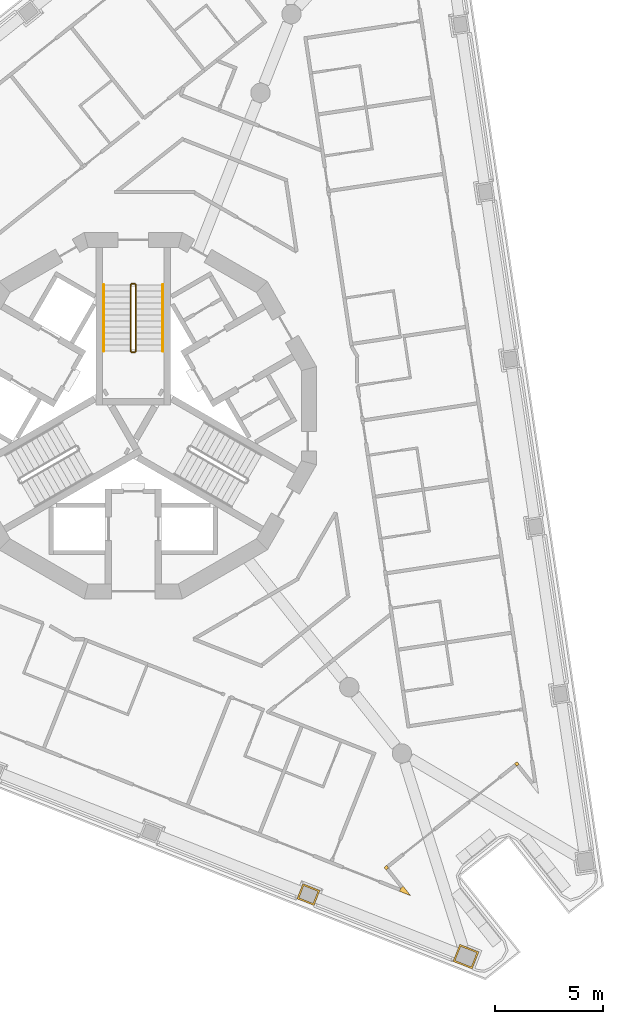
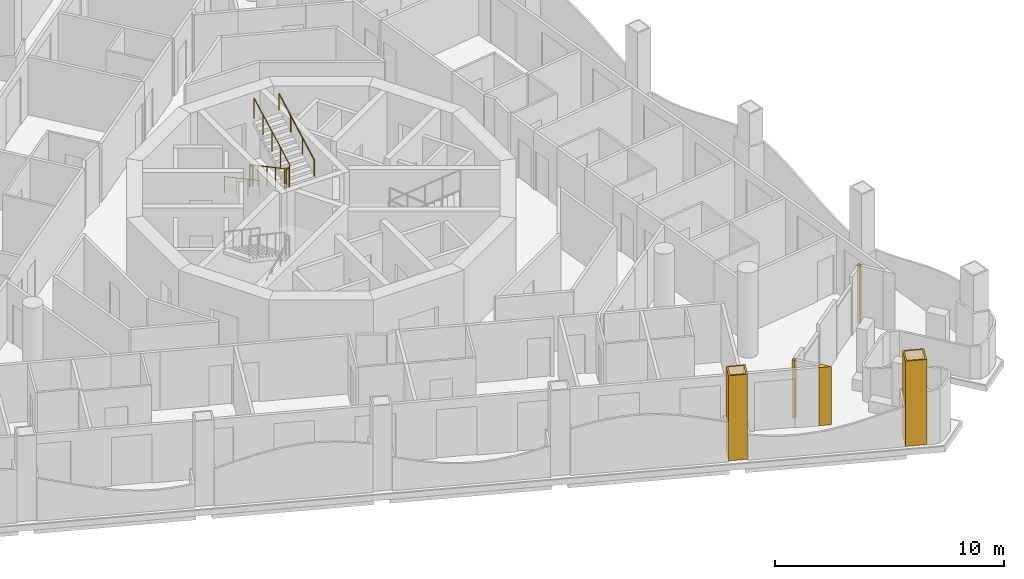
# One storey, part 13 of 16: 6 railings, 5 coverings.
"""IFC4 building model written with IfcOpenShell, lengths in metres."""

from ifc_helpers import new_model, si_unit, direction, frame, origin, origin_2d, place, context, subcontext, project, spatial, polyline, circle, outline, extrude, material, layer, layer_set, type_object, element, save


model = new_model("IFC4")

# Units and contexts
model_context = context("Model", 3, precision=1e-05, world=origin(), true_north=direction((0.0, 1.0)))
body_context = subcontext(model_context, "Body", "Model", "MODEL_VIEW")
ifc_project = project(units=[si_unit("LENGTHUNIT", "METRE"), si_unit("AREAUNIT", "SQUARE_METRE"), si_unit("VOLUMEUNIT", "CUBIC_METRE"), si_unit("PLANEANGLEUNIT", "RADIAN"), si_unit("MASSUNIT", "GRAM", prefix="KILO")], contexts=[model_context])

# Site, building, storey
site_placement = place(None, origin())
site = spatial("IfcSite", under=ifc_project, at=site_placement, CompositionType="ELEMENT")
building_placement = place(site_placement, origin())
building = spatial("IfcBuilding", under=site, at=building_placement, Name="Trine Commons Tower", CompositionType="ELEMENT")
storey_placement = place(building_placement, frame((0.0, 0.0, 226.800048828125)))
storey = spatial("IfcBuildingStorey", under=building, at=storey_placement, Name="L59", CompositionType="ELEMENT", Elevation=226.800048828125)

# Coverings
ifc_material_1 = material(Name="Aluminium-framed insulated wall panel", Category="aluminium")
ifc_layer_1 = layer(ifc_material_1, 0.14990234375)
ifc_layer_set_1 = layer_set([ifc_layer_1], Name="Aluminium-framed insulated wall panel")
covering_type_1 = type_object("IfcCoveringType", Name="Glazing corner post, aluminium", PredefinedType="CLADDING", material=ifc_layer_set_1)
covering_1_placement = place(storey_placement, origin())
element("IfcCovering", 1, at=covering_1_placement, inside=storey, type_object=covering_type_1, Name="Glazing corner post 6-07", PredefinedType="CLADDING", context=body_context, shape_type="SweptSolid", body=[
    extrude(outline(polyline([(97.682861328125, 46.35791015625), (97.7763671875, 46.240478515625), (97.7763671875, 46.240478515625), (97.893798828125, 46.333740234375), (97.80029296875, 46.451171875), (97.80029296875, 46.451171875), (97.682861328125, 46.35791015625)])), origin(), (0.0, 0.0, 1.0), 3.099853515625),
])
covering_2_placement = place(storey_placement, origin())
element("IfcCovering", 2, at=covering_2_placement, inside=storey, type_object=covering_type_1, Name="Glazing corner post 6-08", PredefinedType="CLADDING", context=body_context, shape_type="SweptSolid", body=[
    extrude(outline(polyline([(91.726806640625, 41.42822265625), (91.843994140625, 41.521728515625), (91.750732421875, 41.63916015625), (91.63330078125, 41.545654296875), (91.726806640625, 41.42822265625)])), origin(), (0.0, 0.0, 1.0), 3.099853515625),
])
covering_3_placement = place(storey_placement, origin())
element("IfcCovering", 3, at=covering_3_placement, inside=storey, type_object=covering_type_1, Name="Glazing corner post 6-09", PredefinedType="CLADDING", context=body_context, shape_type="SweptSolid", body=[
    extrude(outline(polyline([(92.34765625, 40.439208984375), (92.868408203125, 40.23388671875), (92.52001953125, 40.672119140625), (92.402587890625, 40.57861328125), (92.34765625, 40.439208984375)])), origin(), (0.0, 0.0, 1.0), 3.099853515625),
])
ifc_material_2 = material(Name="Limestone, honed", Category="masonry")
ifc_layer_2 = layer(ifc_material_2, 0.074951171875)
ifc_layer_set_2 = layer_set([ifc_layer_2], Name="Limestone, honed")
covering_type_2 = type_object("IfcCoveringType", Name="Limestone column cladding 75", PredefinedType="CLADDING", material=ifc_layer_set_2)
covering_4_placement = place(storey_placement, origin())
element("IfcCovering", 4, at=covering_4_placement, inside=storey, type_object=covering_type_2, Name="Limestone pier cladding 6-01", PredefinedType="CLADDING", context=body_context, shape_type="SweptSolid", body=[
    extrude(outline(polyline([(95.143310546875, 37.978271484375), (94.831787109375, 37.1875), (95.715576171875, 36.839111328125), (96.027099609375, 37.6298828125), (95.143310546875, 37.978271484375)]), holes=[polyline([(95.185546875, 37.880859375), (94.928955078125, 37.229736328125), (95.67333984375, 36.9365234375), (95.9296875, 37.587646484375), (95.185546875, 37.880859375)])]), origin(), (0.0, 0.0, 1.0), 4.53662109375),
])
covering_5_placement = place(storey_placement, origin())
element("IfcCovering", 5, at=covering_5_placement, inside=storey, type_object=covering_type_2, Name="Limestone pier cladding 6-02", PredefinedType="CLADDING", context=body_context, shape_type="SweptSolid", body=[
    extrude(outline(polyline([(87.8671875, 40.790771484375), (87.59228515625, 40.093017578125), (88.383056640625, 39.78125), (88.657958984375, 40.47900390625), (87.8671875, 40.790771484375)]), holes=[polyline([(87.909423828125, 40.693359375), (87.689453125, 40.13525390625), (88.3408203125, 39.878662109375), (88.560791015625, 40.436767578125), (87.909423828125, 40.693359375)])]), origin(), (0.0, 0.0, 1.0), 4.53662109375),
])

# Railings
ifc_material_3 = material(Name="Stainless steel balustrade", Category="steel")
railing_type_1 = type_object("IfcRailingType", Name="Stair guard, steel balustrade 1100", PredefinedType="GUARDRAIL", material=ifc_material_3)
railing_1_placement = place(storey_placement, frame((79.875, 68.570556640625, 0.14990234375)))
element("IfcRailing", 6, at=railing_1_placement, inside=storey, type_object=railing_type_1, Name="L59 ST1C stair guard 1", PredefinedType="GUARDRAIL", context=body_context, shape_type="SweptSolid", body=[
    extrude(circle(Radius=0.02392578125, at=origin_2d()), frame((0.0, 0.0, 1.076171875), z_axis=(0.0, -0.881467505477, 0.472244678941), x_axis=(1.0, 0.0, 0.0)), (0.0, 0.0, 1.0), 3.494140625),
    extrude(circle(Radius=0.02099609375, at=origin_2d()), origin(), (0.0, 0.0, 1.0), 1.052001953125),
    extrude(circle(Radius=0.02099609375, at=origin_2d()), frame((0.0, -0.77001953125, 0.41259765625)), (0.0, 0.0, 1.0), 1.052001953125),
    extrude(circle(Radius=0.02099609375, at=origin_2d()), frame((0.0, -1.5400390625, 0.8251953125)), (0.0, 0.0, 1.0), 1.052001953125),
    extrude(circle(Radius=0.02099609375, at=origin_2d()), frame((0.0, -2.31005859375, 1.237548828125)), (0.0, 0.0, 1.0), 1.052001953125),
    extrude(circle(Radius=0.02099609375, at=origin_2d()), frame((0.0, -3.080078125, 1.650146484375)), (0.0, 0.0, 1.0), 1.052001953125),
])
railing_2_placement = place(storey_placement, frame((79.925048828125, 65.440673828125, 1.800048828125)))
element("IfcRailing", 7, at=railing_2_placement, inside=storey, type_object=railing_type_1, Name="L59 ST1C stair guard 2", PredefinedType="GUARDRAIL", context=body_context, shape_type="SweptSolid", body=[
    extrude(circle(Radius=0.02392578125, at=origin_2d()), frame((0.0, 0.0, 1.076171875), z_axis=(1.0, 0.0, 0.0), x_axis=(0.0, 1.0, 0.0)), (0.0, 0.0, 1.0), 0.14990234375),
    extrude(circle(Radius=0.02099609375, at=origin_2d()), origin(), (0.0, 0.0, 1.0), 1.052001953125),
    extrude(circle(Radius=0.02099609375, at=origin_2d()), frame((0.14990234375, 0.0, 0.0)), (0.0, 0.0, 1.0), 1.052001953125),
])
railing_3_placement = place(storey_placement, frame((80.125, 65.490478515625, 1.949951171875)))
element("IfcRailing", 8, at=railing_3_placement, inside=storey, type_object=railing_type_1, Name="L59 ST1C stair guard 3", PredefinedType="GUARDRAIL", context=body_context, shape_type="SweptSolid", body=[
    extrude(circle(Radius=0.02392578125, at=origin_2d()), frame((0.0, 0.0, 1.076171875), z_axis=(0.0, 0.881496589024, 0.472190389079), x_axis=(-1.0, 0.0, 0.0)), (0.0, 0.0, 1.0), 3.494140625),
    extrude(circle(Radius=0.02099609375, at=origin_2d()), origin(), (0.0, 0.0, 1.0), 1.052001953125),
    extrude(circle(Radius=0.02099609375, at=origin_2d()), frame((0.0, 0.77001953125, 0.41259765625)), (0.0, 0.0, 1.0), 1.052001953125),
    extrude(circle(Radius=0.02099609375, at=origin_2d()), frame((0.0, 1.5400390625, 0.824951171875)), (0.0, 0.0, 1.0), 1.052001953125),
    extrude(circle(Radius=0.02099609375, at=origin_2d()), frame((0.0, 2.31005859375, 1.2373046875)), (0.0, 0.0, 1.0), 1.052001953125),
    extrude(circle(Radius=0.02099609375, at=origin_2d()), frame((0.0, 3.080078125, 1.64990234375)), (0.0, 0.0, 1.0), 1.052001953125),
])
railing_4_placement = place(storey_placement, frame((79.925048828125, 68.62060546875, 0.0)))
element("IfcRailing", 9, at=railing_4_placement, inside=storey, type_object=railing_type_1, Name="L59 ST1C stair guard 4", PredefinedType="GUARDRAIL", context=body_context, shape_type="SweptSolid", body=[
    extrude(circle(Radius=0.02392578125, at=origin_2d()), frame((0.0, 0.0, 1.076171875), z_axis=(1.0, 0.0, 0.0), x_axis=(0.0, 1.0, 0.0)), (0.0, 0.0, 1.0), 0.14990234375),
    extrude(circle(Radius=0.02099609375, at=origin_2d()), origin(), (0.0, 0.0, 1.0), 1.052001953125),
    extrude(circle(Radius=0.02099609375, at=origin_2d()), frame((0.14990234375, 0.0, 0.0)), (0.0, 0.0, 1.0), 1.052001953125),
])
ifc_material_4 = material(Name="Stainless steel handrail", Category="steel")
railing_type_2 = type_object("IfcRailingType", Name="Stair handrail, steel 900", PredefinedType="HANDRAIL", material=ifc_material_4)
railing_5_placement = place(storey_placement, frame((78.625, 68.570556640625, 0.14990234375)))
element("IfcRailing", 10, at=railing_5_placement, inside=storey, type_object=railing_type_2, Name="L59 ST1C stair handrail 1", PredefinedType="HANDRAIL", context=body_context, shape_type="SweptSolid", body=[
    extrude(circle(Radius=0.02099609375, at=origin_2d()), frame((0.0, 0.0, 0.87890625), z_axis=(0.0, -0.881467505477, 0.472244678941), x_axis=(1.0, 0.0, 0.0)), (0.0, 0.0, 1.0), 3.494140625),
    extrude(circle(Radius=0.01513671875, at=origin_2d()), origin(), (0.0, 0.0, 1.0), 0.85791015625),
    extrude(circle(Radius=0.01513671875, at=origin_2d()), frame((0.0, -1.026611328125, 0.550048828125)), (0.0, 0.0, 1.0), 0.85791015625),
    extrude(circle(Radius=0.01513671875, at=origin_2d()), frame((0.0, -2.053466796875, 1.10009765625)), (0.0, 0.0, 1.0), 0.85791015625),
    extrude(circle(Radius=0.01513671875, at=origin_2d()), frame((0.0, -3.080078125, 1.650146484375)), (0.0, 0.0, 1.0), 0.85791015625),
])
railing_6_placement = place(storey_placement, frame((81.375, 65.490478515625, 1.949951171875)))
element("IfcRailing", 11, at=railing_6_placement, inside=storey, type_object=railing_type_2, Name="L59 ST1C stair handrail 2", PredefinedType="HANDRAIL", context=body_context, shape_type="SweptSolid", body=[
    extrude(circle(Radius=0.02099609375, at=origin_2d()), frame((0.0, 0.0, 0.87890625), z_axis=(0.0, 0.881496589024, 0.472190389079), x_axis=(-1.0, 0.0, 0.0)), (0.0, 0.0, 1.0), 3.494140625),
    extrude(circle(Radius=0.01513671875, at=origin_2d()), origin(), (0.0, 0.0, 1.0), 0.85791015625),
    extrude(circle(Radius=0.01513671875, at=origin_2d()), frame((0.0, 1.026611328125, 0.550048828125)), (0.0, 0.0, 1.0), 0.85791015625),
    extrude(circle(Radius=0.01513671875, at=origin_2d()), frame((0.0, 2.053466796875, 1.099853515625)), (0.0, 0.0, 1.0), 0.85791015625),
    extrude(circle(Radius=0.01513671875, at=origin_2d()), frame((0.0, 3.080078125, 1.64990234375)), (0.0, 0.0, 1.0), 0.85791015625),
])

save(model, "model.ifc")
